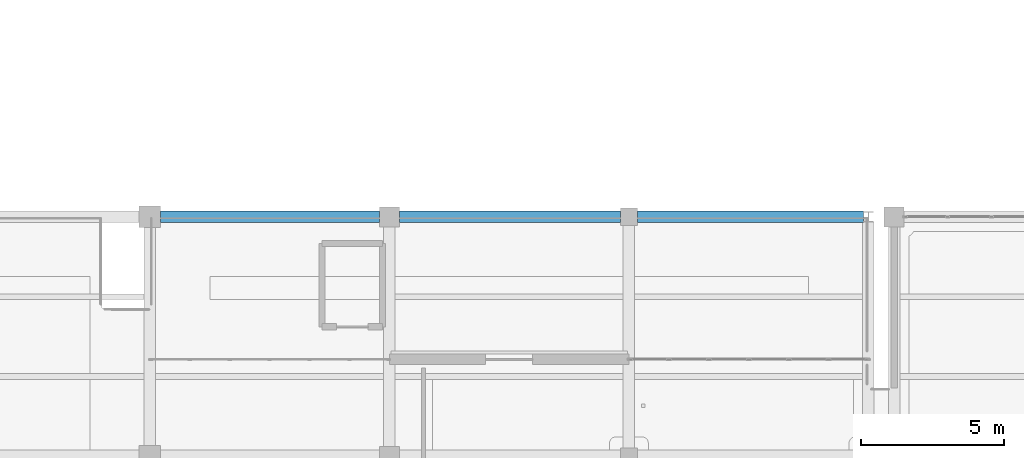
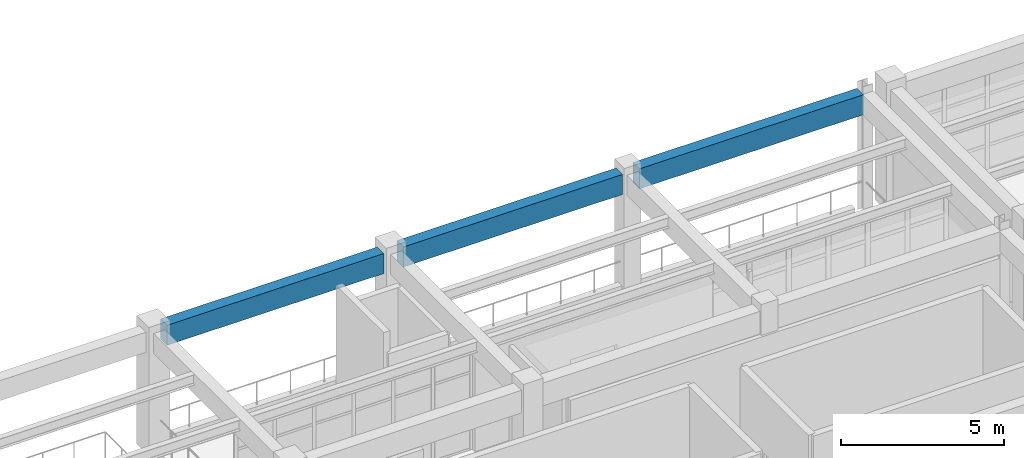
# One storey, part 16 of 98: 3 beams.
"""IFC4 building model written with IfcOpenShell, lengths in metres."""

from ifc_helpers import new_model, si_unit, direction, frame, origin, origin_2d, place, context, subcontext, project, spatial, rectangle, extrude, material, material_profile, profile_set, type_object, element, save


model = new_model("IFC4")

# Units and contexts
model_context = context("Model", 3, precision=1e-05, world=origin(), true_north=direction((0.0, 1.0)))
body_context = subcontext(model_context, "Body", "Model", "MODEL_VIEW")
ifc_project = project(units=[si_unit("LENGTHUNIT", "METRE"), si_unit("AREAUNIT", "SQUARE_METRE"), si_unit("VOLUMEUNIT", "CUBIC_METRE"), si_unit("PLANEANGLEUNIT", "RADIAN"), si_unit("MASSUNIT", "GRAM", prefix="KILO")], contexts=[model_context])

# Site, building, storey
site_placement = place(None, origin())
site = spatial("IfcSite", under=ifc_project, at=site_placement, CompositionType="ELEMENT")
building_placement = place(site_placement, origin())
building = spatial("IfcBuilding", under=site, at=building_placement, Name="Canglan Escarpment Cableway Terminal", CompositionType="ELEMENT")
storey_placement = place(building_placement, frame((0.0, 0.0, 9.60009765625)))
storey = spatial("IfcBuildingStorey", under=building, at=storey_placement, Name="L02", CompositionType="ELEMENT", Elevation=9.60009765625)

# Beams
ifc_material = material(Name="Concrete C40", Category="concrete")
ifc_material_profile = material_profile(ifc_material, rectangle(XDim=0.39990234375, YDim=0.75, at=origin_2d()), Name="RC 400x750")
ifc_profile_set = profile_set([ifc_material_profile], Name="Concrete C40")
beam_type = type_object("IfcBeamType", Name="SP-RC400x750", PredefinedType="SPANDREL", material=ifc_profile_set)
beam_1_placement = place(storey_placement, frame((51.27490234375, 24.800048828125, 4.14501953125), z_axis=(1.0, 0.0, 0.0), x_axis=(0.0, 1.0, 0.0)))
element("IfcBeam", 1, at=beam_1_placement, inside=storey, type_object=beam_type, Name="Primary structural girder SP-01", PredefinedType="SPANDREL", context=body_context, shape_type="SweptSolid", body=[
    extrude(rectangle(XDim=0.39990234375, YDim=0.75, at=origin_2d()), origin(), (0.0, 0.0, 1.0), 7.675048828125),
])
beam_2_placement = place(storey_placement, frame((59.64990234375, 24.800048828125, 4.14501953125), z_axis=(1.0, 0.0, 0.0), x_axis=(0.0, 1.0, 0.0)))
element("IfcBeam", 2, at=beam_2_placement, inside=storey, type_object=beam_type, Name="Primary structural girder SP-01", PredefinedType="SPANDREL", context=body_context, shape_type="SweptSolid", body=[
    extrude(rectangle(XDim=0.39990234375, YDim=0.75, at=origin_2d()), origin(), (0.0, 0.0, 1.0), 7.75),
])
beam_3_placement = place(storey_placement, frame((68.0, 24.800048828125, 4.14501953125), z_axis=(1.0, 0.0, 0.0), x_axis=(0.0, 1.0, 0.0)))
element("IfcBeam", 3, at=beam_3_placement, inside=storey, type_object=beam_type, Name="Primary structural girder SP-01", PredefinedType="SPANDREL", context=body_context, shape_type="SweptSolid", body=[
    extrude(rectangle(XDim=0.39990234375, YDim=0.75, at=origin_2d()), origin(), (0.0, 0.0, 1.0), 7.925048828125),
])

save(model, "model.ifc")
